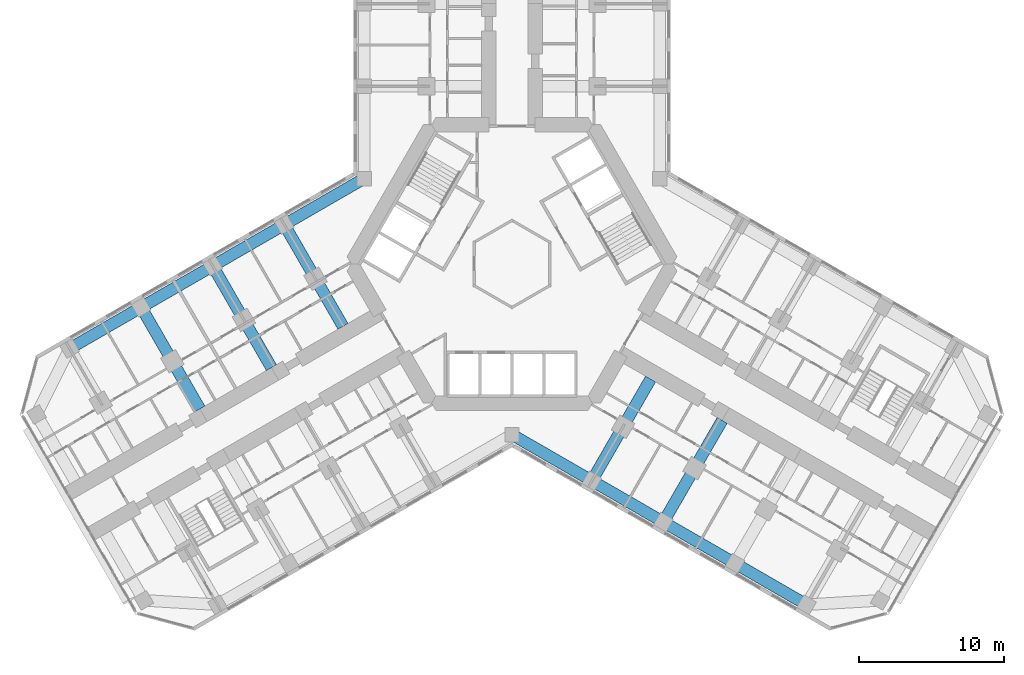
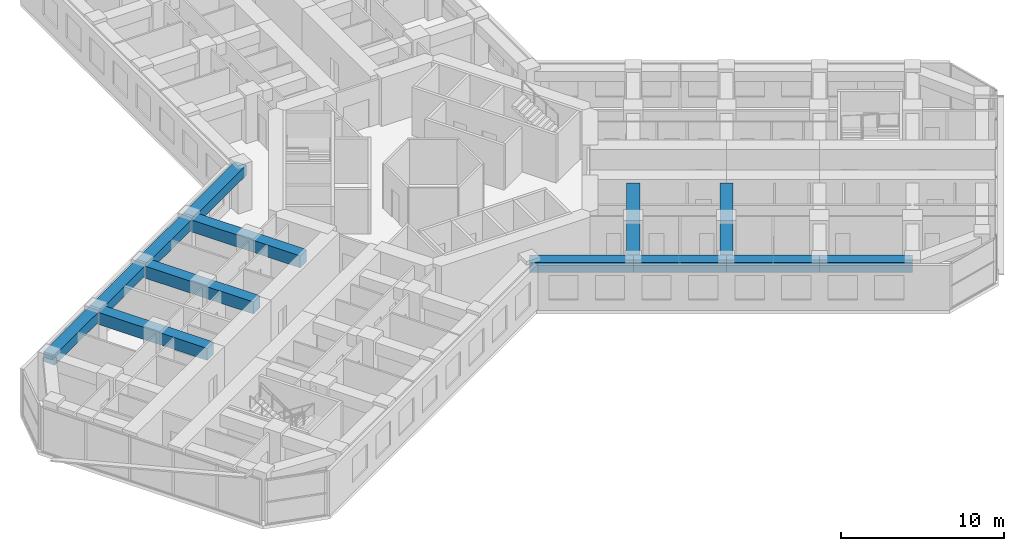
# One storey, part 4 of 21: 13 beams.
"""IFC4 building model written with IfcOpenShell, lengths in metres."""

from ifc_helpers import new_model, si_unit, direction, frame, origin, origin_2d, place, context, subcontext, project, spatial, rectangle, extrude, material, material_profile, profile_set, type_object, element, save


model = new_model("IFC4")

# Units and contexts
model_context = context("Model", 3, precision=1e-05, world=origin(), true_north=direction((0.0, 1.0)))
body_context = subcontext(model_context, "Body", "Model", "MODEL_VIEW")
ifc_project = project(units=[si_unit("LENGTHUNIT", "METRE"), si_unit("AREAUNIT", "SQUARE_METRE"), si_unit("VOLUMEUNIT", "CUBIC_METRE"), si_unit("PLANEANGLEUNIT", "RADIAN"), si_unit("MASSUNIT", "GRAM", prefix="KILO")], contexts=[model_context])

# Site, building, storey
site_placement = place(None, origin())
site = spatial("IfcSite", under=ifc_project, at=site_placement, CompositionType="ELEMENT")
building_placement = place(site_placement, origin())
building = spatial("IfcBuilding", under=site, at=building_placement, Name="Kosmar Iwan School Tower", CompositionType="ELEMENT")
storey_placement = place(building_placement, frame((0.0, 0.0, 68.199951171875)))
storey = spatial("IfcBuildingStorey", under=building, at=storey_placement, Name="L16", CompositionType="ELEMENT", Elevation=68.199951171875)

# Beams
ifc_material_1 = material(Name="Concrete C50/60", Category="concrete")
ifc_material_profile_1 = material_profile(ifc_material_1, rectangle(XDim=0.800048828125, YDim=0.75, at=origin_2d()), Name="RC 800x750")
ifc_profile_set_1 = profile_set([ifc_material_profile_1], Name="Concrete C50/60")
beam_type_1 = type_object("IfcBeamType", Name="RC edge beam 800x750", PredefinedType="BEAM", material=ifc_profile_set_1)
beam_1_placement = place(storey_placement, frame((-10.199951171875, 5.888916015625, 2.97509765625), z_axis=(-0.866030912664, -0.49999045822, 0.0), x_axis=(0.49999045822, -0.866030912664, 0.0)))
element("IfcBeam", 1, at=beam_1_placement, inside=storey, type_object=beam_type_1, Name="Edge beam BR1", PredefinedType="BEAM", context=body_context, shape_type="SweptSolid", body=[
    extrude(rectangle(XDim=0.800048828125, YDim=0.75, at=origin_2d()), origin(), (0.0, 0.0, 1.0), 6.36083984375),
])
beam_2_placement = place(storey_placement, frame((-15.708740234375, 2.70849609375, 2.97509765625), z_axis=(-0.866025820012, -0.499999279071, 0.0), x_axis=(0.499999279071, -0.866025820012, 0.0)))
element("IfcBeam", 2, at=beam_2_placement, inside=storey, type_object=beam_type_1, Name="Edge beam BR2", PredefinedType="BEAM", context=body_context, shape_type="SweptSolid", body=[
    extrude(rectangle(XDim=0.800048828125, YDim=0.75, at=origin_2d()), origin(), (0.0, 0.0, 1.0), 5.7001953125),
])
for number, where, z_axis, x_axis, name in (
    (3, (-20.645263671875, -0.1416015625, 2.97509765625), (-0.866033658841, -0.49998570155, 0.0), (0.49998570155, -0.866033658841, 0.0), "Edge beam BR3"),
    (4, (-25.58154296875, -2.991455078125, 2.97509765625), (-0.866015111908, -0.50001782563, 0.0), (0.50001782563, -0.866015111908, 0.0), "Edge beam BR4"),
):
    element("IfcBeam", number, at=place(storey_placement, frame(where, z_axis=z_axis, x_axis=x_axis)), inside=storey, type_object=beam_type_1, Name=name, PredefinedType="BEAM", context=body_context, shape_type="SweptSolid", body=[
        extrude(rectangle(XDim=0.800048828125, YDim=0.75, at=origin_2d()), origin(), (0.0, 0.0, 1.0), 5.699951171875),
    ])
beam_3_placement = place(storey_placement, frame((0.0, -11.77783203125, 2.97509765625), z_axis=(0.866014293216, -0.500019243575, 0.0), x_axis=(0.500019243575, 0.866014293216, 0.0)))
element("IfcBeam", 5, at=beam_3_placement, inside=storey, type_object=beam_type_1, Name="Edge beam CR1", PredefinedType="BEAM", context=body_context, shape_type="SweptSolid", body=[
    extrude(rectangle(XDim=0.800048828125, YDim=0.75, at=origin_2d()), origin(), (0.0, 0.0, 1.0), 6.361083984375),
])
beam_4_placement = place(storey_placement, frame((5.5087890625, -14.95849609375, 2.97509765625), z_axis=(0.866033658841, -0.49998570155, 0.0), x_axis=(0.49998570155, 0.866033658841, 0.0)))
element("IfcBeam", 6, at=beam_4_placement, inside=storey, type_object=beam_type_1, Name="Edge beam CR2", PredefinedType="BEAM", context=body_context, shape_type="SweptSolid", body=[
    extrude(rectangle(XDim=0.800048828125, YDim=0.75, at=origin_2d()), origin(), (0.0, 0.0, 1.0), 5.699951171875),
])
beam_5_placement = place(storey_placement, frame((10.445068359375, -17.808349609375, 2.97509765625), z_axis=(0.866025820012, -0.499999279071, 0.0), x_axis=(0.499999279071, 0.866025820012, 0.0)))
element("IfcBeam", 7, at=beam_5_placement, inside=storey, type_object=beam_type_1, Name="Edge beam CR3", PredefinedType="BEAM", context=body_context, shape_type="SweptSolid", body=[
    extrude(rectangle(XDim=0.800048828125, YDim=0.75, at=origin_2d()), origin(), (0.0, 0.0, 1.0), 5.7001953125),
])
beam_6_placement = place(storey_placement, frame((15.381591796875, -20.658447265625, 2.97509765625), z_axis=(0.866015111908, -0.50001782563, 0.0), x_axis=(0.50001782563, 0.866015111908, 0.0)))
element("IfcBeam", 8, at=beam_6_placement, inside=storey, type_object=beam_type_1, Name="Edge beam CR4", PredefinedType="BEAM", context=body_context, shape_type="SweptSolid", body=[
    extrude(rectangle(XDim=0.800048828125, YDim=0.75, at=origin_2d()), origin(), (0.0, 0.0, 1.0), 5.699951171875),
])
ifc_material_2 = material(Name="Concrete C50/60", Category="concrete")
ifc_material_profile_2 = material_profile(ifc_material_2, rectangle(XDim=0.800048828125, YDim=0.89990234375, at=origin_2d()), Name="RC 800x900")
ifc_profile_set_2 = profile_set([ifc_material_profile_2], Name="Concrete C50/60")
beam_type_2 = type_object("IfcBeamType", Name="RC transverse beam 800x900", PredefinedType="BEAM", material=ifc_profile_set_2)
beam_7_placement = place(storey_placement, frame((-15.708740234375, 2.70849609375, 2.900146484375), z_axis=(0.499999880539, -0.866025472755, 0.0), x_axis=(0.866025472755, 0.499999880539, 0.0)))
element("IfcBeam", 9, at=beam_7_placement, inside=storey, type_object=beam_type_2, Name="Transverse beam BR1", PredefinedType="BEAM", context=body_context, shape_type="SweptSolid", body=[
    extrude(rectangle(XDim=0.800048828125, YDim=0.89990234375, at=origin_2d()), origin(), (0.0, 0.0, 1.0), 8.10009765625),
])
beam_8_placement = place(storey_placement, frame((-20.645263671875, -0.1416015625, 2.900146484375), z_axis=(0.500012932018, -0.866017937352, 0.0), x_axis=(0.866017937352, 0.500012932018, 0.0)))
element("IfcBeam", 10, at=beam_8_placement, inside=storey, type_object=beam_type_2, Name="Transverse beam BR2", PredefinedType="BEAM", context=body_context, shape_type="SweptSolid", body=[
    extrude(rectangle(XDim=0.800048828125, YDim=0.89990234375, at=origin_2d()), origin(), (0.0, 0.0, 1.0), 8.099853515625),
])
for number, where, z_axis, x_axis, name in (
    (11, (-25.58154296875, -2.991455078125, 2.900146484375), (0.499999880539, -0.866025472755, 0.0), (0.866025472755, 0.499999880539, 0.0), "Transverse beam BR3"),
    (12, (5.5087890625, -14.95849609375, 2.900146484375), (0.499999880539, 0.866025472755, 0.0), (-0.866025472755, 0.499999880539, 0.0), "Transverse beam CR1"),
):
    element("IfcBeam", number, at=place(storey_placement, frame(where, z_axis=z_axis, x_axis=x_axis)), inside=storey, type_object=beam_type_2, Name=name, PredefinedType="BEAM", context=body_context, shape_type="SweptSolid", body=[
        extrude(rectangle(XDim=0.800048828125, YDim=0.89990234375, at=origin_2d()), origin(), (0.0, 0.0, 1.0), 8.10009765625),
    ])
beam_9_placement = place(storey_placement, frame((10.445068359375, -17.808349609375, 2.900146484375), z_axis=(0.500012932018, 0.866017937352, 0.0), x_axis=(-0.866017937352, 0.500012932018, 0.0)))
element("IfcBeam", 13, at=beam_9_placement, inside=storey, type_object=beam_type_2, Name="Transverse beam CR2", PredefinedType="BEAM", context=body_context, shape_type="SweptSolid", body=[
    extrude(rectangle(XDim=0.800048828125, YDim=0.89990234375, at=origin_2d()), origin(), (0.0, 0.0, 1.0), 8.099853515625),
])

save(model, "model.ifc")
